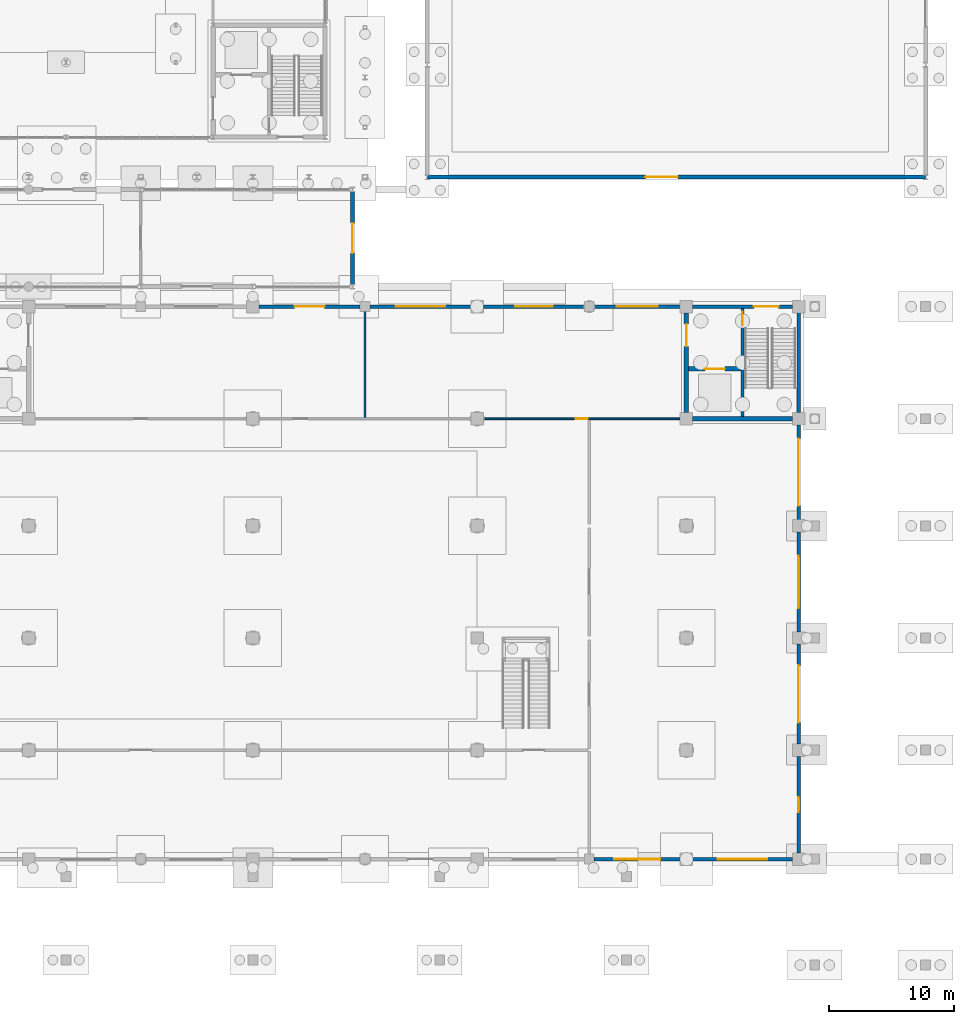
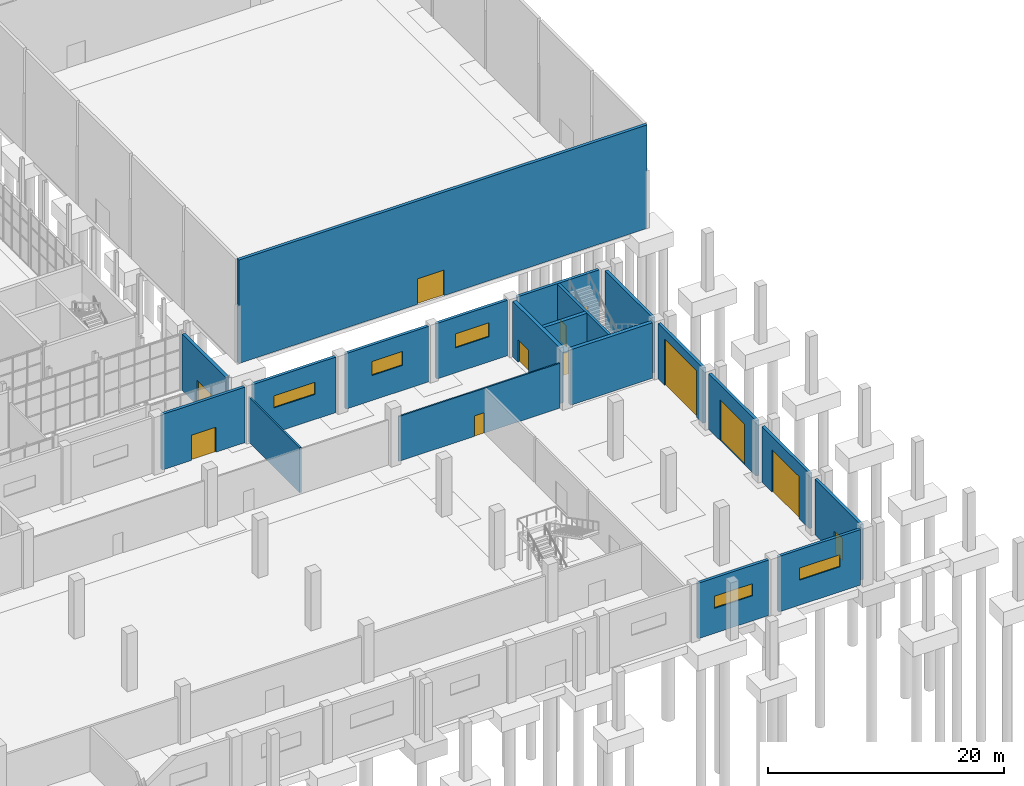
# One storey, part 105 of 131: 20 walls, 12 doors, 5 windows, 17 openings.
"""IFC4 building model written with IfcOpenShell, lengths in metres."""

import ifcopenshell
import ifcopenshell.guid

model = None  # the IFC model being written
_history = None  # IfcOwnerHistory: only IFC2X3 demands one
_inside = {}  # id of a spatial element -> (the spatial element, [elements in it])
_under = {}  # id of a project, library or spatial element -> (it, [spatial elements below it])
_declared = {}  # id of a project -> (the project, [libraries it declares])
_typed = {}  # id of a type object -> (the type object, [elements of that type])
_made_of = {}  # id of a material, layer set ... -> (it, [elements and type objects made of it])


def new_model(schema):
    """Start an empty IFC model of exactly this schema.

    Asked for "IFC4X3", IfcOpenShell would pick the latest addendum, in which some entities
    have other attributes; the version numbers below select the first issue.
    IFC2X3 requires an IfcOwnerHistory on every rooted entity: one is made here for all.
    """
    global model, _history
    if schema == "IFC4X3":
        model = ifcopenshell.file(schema_version=(4, 3, 0, 0))
    else:
        model = ifcopenshell.file(schema=schema)
    _inside.clear()
    _under.clear()
    _declared.clear()
    _typed.clear()
    _made_of.clear()
    _history = None
    if model.schema == "IFC2X3":
        org = make("IfcOrganization", Name="unknown")
        user = make(
            "IfcPersonAndOrganization",
            ThePerson=make("IfcPerson", FamilyName="unknown"),
            TheOrganization=org,
        )
        app = make(
            "IfcApplication",
            ApplicationDeveloper=org,
            Version="unknown",
            ApplicationFullName="unknown",
            ApplicationIdentifier="unknown",
        )
        _history = make(
            "IfcOwnerHistory",
            OwningUser=user,
            OwningApplication=app,
            ChangeAction="ADDED",
            CreationDate=0,
        )
    return model


def make(cls, **values):
    """One entity of the class cls with the attributes given. An attribute that is None is left unset."""
    return model.create_entity(
        cls, **{name: value for name, value in values.items() if value is not None}
    )


def rooted(cls, **values):
    """An entity with a GlobalId (a new one), such as an element, a storey or a relation."""
    return make(cls, GlobalId=ifcopenshell.guid.new(), OwnerHistory=_history, **values)


def si_unit(unit_type, name, prefix=None):
    """IfcSIUnit, for example si_unit("LENGTHUNIT", "METRE", prefix="MILLI")."""
    return make("IfcSIUnit", UnitType=unit_type, Prefix=prefix, Name=name)


def assignment(units):
    """IfcUnitAssignment: the units of a project."""
    return None if units is None else make("IfcUnitAssignment", Units=units)


def point(xyz):
    """IfcCartesianPoint."""
    return None if xyz is None else make("IfcCartesianPoint", Coordinates=xyz)


def direction(xyz):
    """IfcDirection."""
    return None if xyz is None else make("IfcDirection", DirectionRatios=xyz)


def frame(location, z_axis=None, x_axis=None):
    """IfcAxis2Placement3D, a coordinate frame: its origin and axes. An axis left out is left unset."""
    return make(
        "IfcAxis2Placement3D",
        Location=point(location),
        Axis=direction(z_axis),
        RefDirection=direction(x_axis),
    )


def frame_2d(location, x_axis=None):
    """IfcAxis2Placement2D, a coordinate frame in the plane: its origin and x axis."""
    return make(
        "IfcAxis2Placement2D", Location=point(location), RefDirection=direction(x_axis)
    )


def origin():
    """The frame at (0, 0, 0) with its axes left unset."""
    return frame((0.0, 0.0, 0.0))


def place(relative_to, where):
    """IfcLocalPlacement: puts the frame where relative to a parent placement (None: the world)."""
    return make(
        "IfcLocalPlacement", PlacementRelTo=relative_to, RelativePlacement=where
    )


def context(
    kind, dimensions, precision=None, world=None, true_north=None, identifier=None
):
    """IfcGeometricRepresentationContext, for example the 3D "Model" context."""
    return make(
        "IfcGeometricRepresentationContext",
        ContextIdentifier=identifier,
        ContextType=kind,
        CoordinateSpaceDimension=dimensions,
        Precision=precision,
        WorldCoordinateSystem=world,
        TrueNorth=true_north,
    )


def subcontext(parent, identifier, kind, view, scale=None):
    """IfcGeometricRepresentationSubContext, for example "Body" below "Model"."""
    return make(
        "IfcGeometricRepresentationSubContext",
        ContextIdentifier=identifier,
        ContextType=kind,
        ParentContext=parent,
        TargetScale=scale,
        TargetView=view,
    )


def project(units=None, contexts=None):
    """IfcProject with its units and contexts."""
    return rooted(
        "IfcProject",
        Name="project",
        RepresentationContexts=contexts,
        UnitsInContext=assignment(units),
    )


def spatial(cls, under=None, at=None, **own):
    """A site, building, storey or space (cls), placed at a placement, below another one or the project."""
    s = rooted(cls, ObjectPlacement=at, **own)
    if under is not None:
        _under.setdefault(under.id(), (under, []))[1].append(s)
    return s


def profile(cls, at=None, kind="AREA", **sizes):
    """A parametric profile (cls). Its sizes go by their IFC names, for example OverallWidth=200.0."""
    return make(cls, ProfileType=kind, Position=at, **sizes)


def rectangle(**sizes):
    """IfcRectangleProfileDef."""
    return profile("IfcRectangleProfileDef", **sizes)


def extrude(swept, where, along, depth):
    """IfcExtrudedAreaSolid: the profile swept, set in the frame where, extruded along a direction by depth."""
    return make(
        "IfcExtrudedAreaSolid",
        SweptArea=swept,
        Position=where,
        ExtrudedDirection=direction(along),
        Depth=depth,
    )


def shape(context_of_items, identifier, shape_type, items):
    """IfcShapeRepresentation: the items that make up one representation, for example the "Body"."""
    return make(
        "IfcShapeRepresentation",
        ContextOfItems=context_of_items,
        RepresentationIdentifier=identifier,
        RepresentationType=shape_type,
        Items=items,
    )


def material(Name=None, Category=None):
    """IfcMaterial."""
    return make("IfcMaterial", Name=Name, Category=Category)


def layer(
    of_material, thickness, ventilated=None, Name=None, Category=None, Priority=None
):
    """IfcMaterialLayer: one layer of a wall or slab, of a material (None: an air gap)."""
    return make(
        "IfcMaterialLayer",
        Material=of_material,
        LayerThickness=thickness,
        IsVentilated=ventilated,
        Name=Name,
        Category=Category,
        Priority=Priority,
    )


def layer_set(layers, Name=None):
    """IfcMaterialLayerSet."""
    return make("IfcMaterialLayerSet", MaterialLayers=layers, LayerSetName=Name)


def made_of(thing, what):
    """Note that an element or type object is made of a material, layer set ...; save() writes the relation."""
    if what is not None:
        _made_of.setdefault(what.id(), (what, []))[1].append(thing)
    return thing


def type_object(cls, material=None, **own):
    """A type object (cls), such as IfcWallType, which elements share."""
    return made_of(rooted(cls, **own), material)


def element(
    cls,
    number,
    at=None,
    inside=None,
    cuts=None,
    type_object=None,
    material=None,
    context=None,
    identifier="Body",
    shape_type=None,
    held_by="IfcProductDefinitionShape",
    body=None,
    shapes=None,
    **own,
):
    """One element of the class cls, such as IfcWall. Its Tag is "e" and its number.

    at: its placement. inside: the storey or other place that contains it. cuts: it is an
    opening in that element (IfcRelVoidsElement). A single representation is given by context,
    identifier, shape_type and body (its items); several are given by shapes. held_by: the class
    of the entity that holds the representations. save() writes the other relations.
    """
    e = rooted(cls, Tag="e%d" % number, ObjectPlacement=at, **own)
    if body is not None:
        shapes = [shape(context, identifier, shape_type, body)]
    if shapes is not None:
        e.Representation = make(held_by, Representations=shapes)
    if inside is not None:
        _inside.setdefault(inside.id(), (inside, []))[1].append(e)
    if cuts is not None:
        rooted(
            "IfcRelVoidsElement", RelatingBuildingElement=cuts, RelatedOpeningElement=e
        )
    if type_object is not None:
        _typed.setdefault(type_object.id(), (type_object, []))[1].append(e)
    return made_of(e, material)


def fill(opening, filler):
    """IfcRelFillsElement: the door or window that sits in an opening."""
    return rooted(
        "IfcRelFillsElement",
        RelatingOpeningElement=opening,
        RelatedBuildingElement=filler,
    )


def aggregate(whole, parts):
    """IfcRelAggregates: a whole, such as a stair, and the parts it consists of."""
    return rooted("IfcRelAggregates", RelatingObject=whole, RelatedObjects=parts)


def save(model, path):
    """Write the relations noted so far, then the file.

    IfcRelAggregates (storeys below a building ...), IfcRelContainedInSpatialStructure (elements
    in a storey), IfcRelDefinesByType, IfcRelAssociatesMaterial and IfcRelDeclares: one each for
    every whole, place, type object, material and project.
    """
    for whole, parts in _under.values():
        aggregate(whole, parts)
    for where, things in _inside.values():
        rooted(
            "IfcRelContainedInSpatialStructure",
            RelatedElements=things,
            RelatingStructure=where,
        )
    for kind, things in _typed.values():
        rooted("IfcRelDefinesByType", RelatedObjects=things, RelatingType=kind)
    for what, things in _made_of.values():
        rooted("IfcRelAssociatesMaterial", RelatedObjects=things, RelatingMaterial=what)
    for by, libraries in _declared.values():
        rooted("IfcRelDeclares", RelatingContext=by, RelatedDefinitions=libraries)
    model.write(path)


model = new_model("IFC4")

# Units and contexts
model_context = context("Model", 3, precision=1e-05, world=origin(), true_north=direction((0.0, 1.0)))
body_context = subcontext(model_context, "Body", "Model", "MODEL_VIEW")
ifc_project = project(units=[si_unit("LENGTHUNIT", "METRE"), si_unit("AREAUNIT", "SQUARE_METRE"), si_unit("VOLUMEUNIT", "CUBIC_METRE"), si_unit("PLANEANGLEUNIT", "RADIAN"), si_unit("MASSUNIT", "GRAM", prefix="KILO")], contexts=[model_context])

# Site, building, storey
site_placement = place(None, origin())
site = spatial("IfcSite", under=ifc_project, at=site_placement, CompositionType="ELEMENT")
building_placement = place(site_placement, origin())
building = spatial("IfcBuilding", under=site, at=building_placement, Name="Cazmaro Siding Exhibition Halls", CompositionType="ELEMENT")
storey_placement = place(building_placement, origin())
storey = spatial("IfcBuildingStorey", under=building, at=storey_placement, Name="L00", CompositionType="ELEMENT", Elevation=0.0)

# Wall, opening, door
ifc_material_1 = material(Name="Concrete f'c 45 MPa", Category="concrete")
ifc_layer_1 = layer(ifc_material_1, 0.320068359375)
ifc_layer_set_1 = layer_set([ifc_layer_1], Name="Concrete f'c 45 MPa")
wall_type_1 = type_object("IfcWallType", Name="EW-01", PredefinedType="STANDARD", material=ifc_layer_set_1)
wall_1_placement = place(storey_placement, frame((170.0, 62.823974609375, 0.0), z_axis=(0.0, 0.0, 1.0), x_axis=(0.0, -1.0, 0.0)))
wall_1 = element("IfcWall", 1, at=wall_1_placement, inside=storey, type_object=wall_type_1, Name="Concourse East Rail Arrival Portal EW-01 WL-E0184", PredefinedType="STANDARD", context=body_context, shape_type="SweptSolid", body=[
    extrude(rectangle(XDim=7.447998046875, YDim=0.320068359375, at=frame_2d((3.72412109375, 0.0))), origin(), (0.0, 0.0, 1.0), 5.840087890625),
])
opening_1_placement = place(wall_1_placement, frame((2.52392578125, 0.0, 0.0)))
opening_1 = element("IfcOpeningElement", 2, at=opening_1_placement, cuts=wall_1, Name="Opening D-E051", PredefinedType="OPENING", context=body_context, shape_type="SweptSolid", body=[
    extrude(rectangle(XDim=2.39990234375, YDim=2.60009765625, at=frame_2d((1.199951171875, 1.300048828125))), frame((0.0, 0.169921875, 0.0), z_axis=(0.0, -1.0, 0.0), x_axis=(1.0, 0.0, 0.0)), (0.0, 0.0, 1.0), 0.340087890625),
])
ifc_material_2 = material(Name="Anodized Bronze Glazed Entrance Door", Category="aluminium")
door_type_1 = type_object("IfcDoorType", Name="ED-02", OperationType="DOUBLE_DOOR_SINGLE_SWING", PredefinedType="DOOR", material=ifc_material_2)
door_1_placement = place(opening_1_placement, origin())
door_1 = element("IfcDoor", 3, at=door_1_placement, inside=storey, type_object=door_type_1, Name="Exterior door D-E051 (ED-02)", OperationType="DOUBLE_DOOR_SINGLE_SWING", OverallHeight=2.60009765625, OverallWidth=2.39990234375, PredefinedType="DOOR", context=body_context, shape_type="SweptSolid", body=[
    extrude(rectangle(XDim=2.39990234375, YDim=2.60009765625, at=frame_2d((1.199951171875, 1.300048828125))), frame((0.0, 0.02490234375, 0.0), z_axis=(0.0, -1.0, 0.0), x_axis=(1.0, 0.0, 0.0)), (0.0, 0.0, 1.0), 0.050048828125),
])
fill(opening_1, door_1)

ifc_material_3 = material(Name="Precast concrete f'c 40 MPa", Category="concrete")
ifc_layer_2 = layer(ifc_material_3, 0.280029296875)
ifc_layer_set_2 = layer_set([ifc_layer_2], Name="Precast concrete f'c 40 MPa")
wall_type_2 = type_object("IfcWallType", Name="EW-02", PredefinedType="STANDARD", material=ifc_layer_set_2)
wall_2_placement = place(storey_placement, frame((162.491943359375, 53.60009765625, 0.0), z_axis=(0.0, 0.0, 1.0), x_axis=(1.0, 0.0, 0.0)))
wall_2 = element("IfcWall", 4, at=wall_2_placement, inside=storey, type_object=wall_type_2, Name="Hall B1 North Wall EW-02 WL-E0099", PredefinedType="STANDARD", context=body_context, shape_type="SweptSolid", body=[
    extrude(rectangle(XDim=8.115966796875, YDim=0.280029296875, at=frame_2d((4.05810546875, 0.0))), origin(), (0.0, 0.0, 1.0), 5.75),
])
opening_2_placement = place(wall_2_placement, frame((2.85791015625, 0.0, 0.0)))
opening_2 = element("IfcOpeningElement", 5, at=opening_2_placement, cuts=wall_2, Name="Opening D-E020", PredefinedType="OPENING", context=body_context, shape_type="SweptSolid", body=[
    extrude(rectangle(XDim=2.39990234375, YDim=2.60009765625, at=frame_2d((1.199951171875, 1.300048828125))), frame((0.0, 0.14990234375, 0.0), z_axis=(0.0, -1.0, 0.0), x_axis=(1.0, 0.0, 0.0)), (0.0, 0.0, 1.0), 0.300048828125),
])
door_2_placement = place(opening_2_placement, origin())
door_2 = element("IfcDoor", 6, at=door_2_placement, inside=storey, type_object=door_type_1, Name="Exterior door D-E020 (ED-02)", OperationType="DOUBLE_DOOR_SINGLE_SWING", OverallHeight=2.60009765625, OverallWidth=2.39990234375, PredefinedType="DOOR", context=body_context, shape_type="SweptSolid", body=[
    extrude(rectangle(XDim=2.39990234375, YDim=2.60009765625, at=frame_2d((1.199951171875, 1.300048828125))), frame((0.0, 0.02490234375, 0.0), z_axis=(0.0, -1.0, 0.0), x_axis=(1.0, 0.0, 0.0)), (0.0, 0.0, 1.0), 0.050048828125),
])
fill(opening_2, door_2)

# Wall, opening, window
wall_3_placement = place(storey_placement, frame((171.39208984375, 53.60009765625, 0.0), z_axis=(0.0, 0.0, 1.0), x_axis=(1.0, 0.0, 0.0)))
wall_3 = element("IfcWall", 7, at=wall_3_placement, inside=storey, type_object=wall_type_2, Name="Hall B1 North Wall EW-02 WL-E0105", PredefinedType="STANDARD", context=body_context, shape_type="SweptSolid", body=[
    extrude(rectangle(XDim=8.115966796875, YDim=0.280029296875, at=frame_2d((4.05810546875, 0.0))), origin(), (0.0, 0.0, 1.0), 5.75),
])
opening_3_placement = place(wall_3_placement, frame((2.05810546875, 0.0, 2.60009765625)))
opening_3 = element("IfcOpeningElement", 8, at=opening_3_placement, cuts=wall_3, Name="Opening W-046", PredefinedType="OPENING", context=body_context, shape_type="SweptSolid", body=[
    extrude(rectangle(XDim=4.0, YDim=1.25, at=frame_2d((2.0, 0.625))), frame((0.0, 0.14990234375, 0.0), z_axis=(0.0, -1.0, 0.0), x_axis=(1.0, 0.0, 0.0)), (0.0, 0.0, 1.0), 0.300048828125),
])
ifc_material_4 = material(Name="Thermally Broken Aluminum Low-E Window Unit", Category="aluminium")
window_type_1 = type_object("IfcWindowType", Name="WT-23", PartitioningType="SINGLE_PANEL", PredefinedType="WINDOW", material=ifc_material_4)
window_1_placement = place(opening_3_placement, origin())
window_1 = element("IfcWindow", 9, at=window_1_placement, inside=storey, type_object=window_type_1, Name="Window W-046 (WT-23)", OverallHeight=1.25, OverallWidth=4.0, PartitioningType="SINGLE_PANEL", PredefinedType="WINDOW", context=body_context, shape_type="SweptSolid", body=[
    extrude(rectangle(XDim=4.0, YDim=1.25, at=frame_2d((2.0, 0.625))), frame((0.0, 0.030029296875, 0.0), z_axis=(0.0, -1.0, 0.0), x_axis=(1.0, 0.0, 0.0)), (0.0, 0.0, 1.0), 0.06005859375),
])
fill(opening_3, window_1)

wall_4_placement = place(storey_placement, frame((180.491943359375, 53.60009765625, 0.0), z_axis=(0.0, 0.0, 1.0), x_axis=(1.0, 0.0, 0.0)))
wall_4 = element("IfcWall", 10, at=wall_4_placement, inside=storey, type_object=wall_type_2, Name="Hall B1 North Wall EW-02 WL-E0111", PredefinedType="STANDARD", context=body_context, shape_type="SweptSolid", body=[
    extrude(rectangle(XDim=8.115966796875, YDim=0.280029296875, at=frame_2d((4.05810546875, 0.0))), origin(), (0.0, 0.0, 1.0), 5.75),
])
opening_4_placement = place(wall_4_placement, frame((2.55810546875, 0.0, 2.60009765625)))
opening_4 = element("IfcOpeningElement", 11, at=opening_4_placement, cuts=wall_4, Name="Opening W-049", PredefinedType="OPENING", context=body_context, shape_type="SweptSolid", body=[
    extrude(rectangle(XDim=3.0, YDim=1.449951171875, at=frame_2d((1.5, 0.72509765625))), frame((0.0, 0.14990234375, 0.0), z_axis=(0.0, -1.0, 0.0), x_axis=(1.0, 0.0, 0.0)), (0.0, 0.0, 1.0), 0.300048828125),
])
ifc_material_5 = material(Name="Thermally Broken Aluminum Low-E Window Unit", Category="aluminium")
window_type_2 = type_object("IfcWindowType", Name="WT-24", PartitioningType="SINGLE_PANEL", PredefinedType="WINDOW", material=ifc_material_5)
window_2_placement = place(opening_4_placement, origin())
window_2 = element("IfcWindow", 12, at=window_2_placement, inside=storey, type_object=window_type_2, Name="Window W-049 (WT-24)", OverallHeight=1.449951171875, OverallWidth=3.0, PartitioningType="SINGLE_PANEL", PredefinedType="WINDOW", context=body_context, shape_type="SweptSolid", body=[
    extrude(rectangle(XDim=3.0, YDim=1.449951171875, at=frame_2d((1.5, 0.72509765625))), frame((0.0, 0.030029296875, 0.0), z_axis=(0.0, -1.0, 0.0), x_axis=(1.0, 0.0, 0.0)), (0.0, 0.0, 1.0), 0.06005859375),
])
fill(opening_4, window_2)

wall_5_placement = place(storey_placement, frame((196.30810546875, 9.25, 0.0), z_axis=(0.0, 0.0, 1.0), x_axis=(-1.0, 0.0, 0.0)))
wall_5 = element("IfcWall", 13, at=wall_5_placement, inside=storey, type_object=wall_type_2, Name="Hall B1 South Precast Wall EW-02 WL-E0114", PredefinedType="STANDARD", context=body_context, shape_type="SweptSolid", body=[
    extrude(rectangle(XDim=6.916015625, YDim=0.280029296875, at=frame_2d((3.4580078125, 0.0))), origin(), (0.0, 0.0, 1.0), 5.75),
])
opening_5_placement = place(wall_5_placement, frame((1.60791015625, 0.0, 2.60009765625)))
opening_5 = element("IfcOpeningElement", 14, at=opening_5_placement, cuts=wall_5, Name="Opening W-050", PredefinedType="OPENING", context=body_context, shape_type="SweptSolid", body=[
    extrude(rectangle(XDim=3.699951171875, YDim=1.25, at=frame_2d((1.85009765625, 0.625))), frame((0.0, 0.14990234375, 0.0), z_axis=(0.0, -1.0, 0.0), x_axis=(1.0, 0.0, 0.0)), (0.0, 0.0, 1.0), 0.300048828125),
])
ifc_material_6 = material(Name="Thermally Broken Aluminum Low-E Window Unit", Category="aluminium")
window_type_3 = type_object("IfcWindowType", Name="WT-22", PartitioningType="SINGLE_PANEL", PredefinedType="WINDOW", material=ifc_material_6)
window_3_placement = place(opening_5_placement, origin())
window_3 = element("IfcWindow", 15, at=window_3_placement, inside=storey, type_object=window_type_3, Name="Window W-050 (WT-22)", OverallHeight=1.25, OverallWidth=3.699951171875, PartitioningType="SINGLE_PANEL", PredefinedType="WINDOW", context=body_context, shape_type="SweptSolid", body=[
    extrude(rectangle(XDim=3.699951171875, YDim=1.25, at=frame_2d((1.85009765625, 0.625))), frame((0.0, 0.030029296875, 0.0), z_axis=(0.0, -1.0, 0.0), x_axis=(1.0, 0.0, 0.0)), (0.0, 0.0, 1.0), 0.06005859375),
])
fill(opening_5, window_3)

wall_6_placement = place(storey_placement, frame((189.39208984375, 53.60009765625, 0.0), z_axis=(0.0, 0.0, 1.0), x_axis=(1.0, 0.0, 0.0)))
wall_6 = element("IfcWall", 16, at=wall_6_placement, inside=storey, type_object=wall_type_2, Name="Hall B1 North Wall EW-02 WL-E0117", PredefinedType="STANDARD", context=body_context, shape_type="SweptSolid", body=[
    extrude(rectangle(XDim=6.916015625, YDim=0.280029296875, at=frame_2d((3.4580078125, 0.0))), origin(), (0.0, 0.0, 1.0), 5.75),
])
opening_6_placement = place(wall_6_placement, frame((1.80810546875, 0.0, 2.60009765625)))
opening_6 = element("IfcOpeningElement", 17, at=opening_6_placement, cuts=wall_6, Name="Opening W-052", PredefinedType="OPENING", context=body_context, shape_type="SweptSolid", body=[
    extrude(rectangle(XDim=3.300048828125, YDim=1.449951171875, at=frame_2d((1.64990234375, 0.72509765625))), frame((0.0, 0.14990234375, 0.0), z_axis=(0.0, -1.0, 0.0), x_axis=(1.0, 0.0, 0.0)), (0.0, 0.0, 1.0), 0.300048828125),
])
ifc_material_7 = material(Name="Thermally Broken Aluminum Low-E Window Unit", Category="aluminium")
window_type_4 = type_object("IfcWindowType", Name="WT-25", PartitioningType="SINGLE_PANEL", PredefinedType="WINDOW", material=ifc_material_7)
window_4_placement = place(opening_6_placement, origin())
window_4 = element("IfcWindow", 18, at=window_4_placement, inside=storey, type_object=window_type_4, Name="Window W-052 (WT-25)", OverallHeight=1.449951171875, OverallWidth=3.300048828125, PartitioningType="SINGLE_PANEL", PredefinedType="WINDOW", context=body_context, shape_type="SweptSolid", body=[
    extrude(rectangle(XDim=3.300048828125, YDim=1.449951171875, at=frame_2d((1.64990234375, 0.72509765625))), frame((0.0, 0.030029296875, 0.0), z_axis=(0.0, -1.0, 0.0), x_axis=(1.0, 0.0, 0.0)), (0.0, 0.0, 1.0), 0.06005859375),
])
fill(opening_6, window_4)

wall_7_placement = place(storey_placement, frame((205.30810546875, 9.25, 0.0), z_axis=(0.0, 0.0, 1.0), x_axis=(-1.0, 0.0, 0.0)))
wall_7 = element("IfcWall", 19, at=wall_7_placement, inside=storey, type_object=wall_type_2, Name="Hall B1 South Precast Wall EW-02 WL-E0120", PredefinedType="STANDARD", context=body_context, shape_type="SweptSolid", body=[
    extrude(rectangle(XDim=8.01611328125, YDim=0.280029296875, at=frame_2d((4.008056640625, 0.0))), origin(), (0.0, 0.0, 1.0), 5.75),
])
opening_7_placement = place(wall_7_placement, frame((2.008056640625, 0.0, 2.60009765625)))
opening_7 = element("IfcOpeningElement", 20, at=opening_7_placement, cuts=wall_7, Name="Opening W-053", PredefinedType="OPENING", context=body_context, shape_type="SweptSolid", body=[
    extrude(rectangle(XDim=4.0, YDim=1.25, at=frame_2d((2.0, 0.625))), frame((0.0, 0.14990234375, 0.0), z_axis=(0.0, -1.0, 0.0), x_axis=(1.0, 0.0, 0.0)), (0.0, 0.0, 1.0), 0.300048828125),
])
window_5_placement = place(opening_7_placement, origin())
window_5 = element("IfcWindow", 21, at=window_5_placement, inside=storey, type_object=window_type_1, Name="Window W-053 (WT-23)", OverallHeight=1.25, OverallWidth=4.0, PartitioningType="SINGLE_PANEL", PredefinedType="WINDOW", context=body_context, shape_type="SweptSolid", body=[
    extrude(rectangle(XDim=4.0, YDim=1.25, at=frame_2d((2.0, 0.625))), frame((0.0, 0.030029296875, 0.0), z_axis=(0.0, -1.0, 0.0), x_axis=(1.0, 0.0, 0.0)), (0.0, 0.0, 1.0), 0.06005859375),
])
fill(opening_7, window_5)

# Wall, opening, door
wall_8_placement = place(storey_placement, frame((197.2919921875, 53.60009765625, 0.0), z_axis=(0.0, 0.0, 1.0), x_axis=(1.0, 0.0, 0.0)))
wall_8 = element("IfcWall", 22, at=wall_8_placement, inside=storey, type_object=wall_type_2, Name="Hall B1 North Wall EW-02 WL-E0123", PredefinedType="STANDARD", context=body_context, shape_type="SweptSolid", body=[
    extrude(rectangle(XDim=8.01611328125, YDim=0.280029296875, at=frame_2d((4.008056640625, 0.0))), origin(), (0.0, 0.0, 1.0), 5.75),
])
opening_8_placement = place(wall_8_placement, frame((4.916015625, 0.0, 0.0)))
opening_8 = element("IfcOpeningElement", 23, at=opening_8_placement, cuts=wall_8, Name="Opening D-E022", PredefinedType="OPENING", context=body_context, shape_type="SweptSolid", body=[
    extrude(rectangle(XDim=2.0, YDim=2.39990234375, at=frame_2d((1.0, 1.199951171875))), frame((0.0, 0.14990234375, 0.0), z_axis=(0.0, -1.0, 0.0), x_axis=(1.0, 0.0, 0.0)), (0.0, 0.0, 1.0), 0.300048828125),
])
ifc_material_8 = material(Name="Anodized Bronze Glazed Entrance Door", Category="aluminium")
door_type_2 = type_object("IfcDoorType", Name="ED-01", OperationType="DOUBLE_DOOR_SINGLE_SWING", PredefinedType="DOOR", material=ifc_material_8)
door_3_placement = place(opening_8_placement, origin())
door_3 = element("IfcDoor", 24, at=door_3_placement, inside=storey, type_object=door_type_2, Name="Exterior door D-E022 (ED-01)", OperationType="DOUBLE_DOOR_SINGLE_SWING", OverallHeight=2.39990234375, OverallWidth=2.0, PredefinedType="DOOR", context=body_context, shape_type="SweptSolid", body=[
    extrude(rectangle(XDim=2.0, YDim=2.39990234375, at=frame_2d((1.0, 1.199951171875))), frame((0.0, 0.02490234375, 0.0), z_axis=(0.0, -1.0, 0.0), x_axis=(1.0, 0.0, 0.0)), (0.0, 0.0, 1.0), 0.050048828125),
])
fill(opening_8, door_3)

wall_9_placement = place(storey_placement, frame((205.800048828125, 17.508056640625, 0.0), z_axis=(0.0, 0.0, 1.0), x_axis=(0.0, -1.0, 0.0)))
wall_9 = element("IfcWall", 25, at=wall_9_placement, inside=storey, type_object=wall_type_2, Name="Lower Freight Dock Wall EW-02 WL-E0129", PredefinedType="STANDARD", context=body_context, shape_type="SweptSolid", body=[
    extrude(rectangle(XDim=7.76611328125, YDim=0.280029296875, at=frame_2d((3.883056640625, 0.0))), origin(), (0.0, 0.0, 1.0), 5.75),
])
opening_9_placement = place(wall_9_placement, frame((3.27294921875, 0.0, 0.0)))
opening_9 = element("IfcOpeningElement", 26, at=opening_9_placement, cuts=wall_9, Name="Opening D-E023", PredefinedType="OPENING", context=body_context, shape_type="SweptSolid", body=[
    extrude(rectangle(XDim=1.219970703125, YDim=2.320068359375, at=frame_2d((0.60986328125, 1.16015625))), frame((0.0, 0.14990234375, 0.0), z_axis=(0.0, -1.0, 0.0), x_axis=(1.0, 0.0, 0.0)), (0.0, 0.0, 1.0), 0.300048828125),
])
ifc_material_9 = material(Name="Anodized Bronze Glazed Entrance Door", Category="aluminium")
door_type_3 = type_object("IfcDoorType", Name="ED-05", OperationType="NOTDEFINED", PredefinedType="DOOR", material=ifc_material_9)
door_4_placement = place(opening_9_placement, origin())
door_4 = element("IfcDoor", 27, at=door_4_placement, inside=storey, type_object=door_type_3, Name="Exterior door D-E023 (ED-05)", OperationType="SINGLE_SWING_RIGHT", OverallHeight=2.320068359375, OverallWidth=1.219970703125, PredefinedType="DOOR", context=body_context, shape_type="SweptSolid", body=[
    extrude(rectangle(XDim=1.219970703125, YDim=2.320068359375, at=frame_2d((0.60986328125, 1.16015625))), frame((0.0, 0.02490234375, 0.0), z_axis=(0.0, -1.0, 0.0), x_axis=(1.0, 0.0, 0.0)), (0.0, 0.0, 1.0), 0.050048828125),
])
fill(opening_9, door_4)

wall_10_placement = place(storey_placement, frame((205.800048828125, 26.508056640625, 0.0), z_axis=(0.0, 0.0, 1.0), x_axis=(0.0, -1.0, 0.0)))
wall_10 = element("IfcWall", 28, at=wall_10_placement, inside=storey, type_object=wall_type_2, Name="Lower Freight Dock Wall EW-02 WL-E0135", PredefinedType="STANDARD", context=body_context, shape_type="SweptSolid", body=[
    extrude(rectangle(XDim=8.01611328125, YDim=0.280029296875, at=frame_2d((4.008056640625, 0.0))), origin(), (0.0, 0.0, 1.0), 5.75),
])
opening_10_placement = place(wall_10_placement, frame((1.7080078125, 0.0, 0.0)))
opening_10 = element("IfcOpeningElement", 29, at=opening_10_placement, cuts=wall_10, Name="Opening D-E025", PredefinedType="OPENING", context=body_context, shape_type="SweptSolid", body=[
    extrude(rectangle(XDim=4.60009765625, YDim=4.39990234375, at=frame_2d((2.300048828125, 2.199951171875))), frame((0.0, 0.14990234375, 0.0), z_axis=(0.0, -1.0, 0.0), x_axis=(1.0, 0.0, 0.0)), (0.0, 0.0, 1.0), 0.300048828125),
])
ifc_material_10 = material(Name="Insulated Galvanized Steel Roller Shutter", Category="steel")
door_type_4 = type_object("IfcDoorType", Name="SH-02", OperationType="ROLLINGUP", PredefinedType="GATE", material=ifc_material_10)
door_5_placement = place(opening_10_placement, origin())
door_5 = element("IfcDoor", 30, at=door_5_placement, inside=storey, type_object=door_type_4, Name="Exterior door D-E025 (SH-02)", OperationType="ROLLINGUP", OverallHeight=4.39990234375, OverallWidth=4.60009765625, PredefinedType="GATE", context=body_context, shape_type="SweptSolid", body=[
    extrude(rectangle(XDim=4.60009765625, YDim=4.39990234375, at=frame_2d((2.300048828125, 2.199951171875))), frame((0.0, 0.02490234375, 0.0), z_axis=(0.0, -1.0, 0.0), x_axis=(1.0, 0.0, 0.0)), (0.0, 0.0, 1.0), 0.050048828125),
])
fill(opening_10, door_5)

wall_11_placement = place(storey_placement, frame((205.800048828125, 35.508056640625, 0.0), z_axis=(0.0, 0.0, 1.0), x_axis=(0.0, -1.0, 0.0)))
wall_11 = element("IfcWall", 31, at=wall_11_placement, inside=storey, type_object=wall_type_2, Name="Lower Freight Dock Wall EW-02 WL-E0141", PredefinedType="STANDARD", context=body_context, shape_type="SweptSolid", body=[
    extrude(rectangle(XDim=8.01611328125, YDim=0.280029296875, at=frame_2d((4.008056640625, 0.0))), origin(), (0.0, 0.0, 1.0), 5.75),
])
opening_11_placement = place(wall_11_placement, frame((1.907958984375, 0.0, 0.0)))
opening_11 = element("IfcOpeningElement", 32, at=opening_11_placement, cuts=wall_11, Name="Opening D-E027", PredefinedType="OPENING", context=body_context, shape_type="SweptSolid", body=[
    extrude(rectangle(XDim=4.199951171875, YDim=4.199951171875, at=frame_2d((2.10009765625, 2.10009765625))), frame((0.0, 0.14990234375, 0.0), z_axis=(0.0, -1.0, 0.0), x_axis=(1.0, 0.0, 0.0)), (0.0, 0.0, 1.0), 0.300048828125),
])
ifc_material_11 = material(Name="Insulated Galvanized Steel Roller Shutter", Category="steel")
door_type_5 = type_object("IfcDoorType", Name="SH-03", OperationType="ROLLINGUP", PredefinedType="GATE", material=ifc_material_11)
door_6_placement = place(opening_11_placement, origin())
door_6 = element("IfcDoor", 33, at=door_6_placement, inside=storey, type_object=door_type_5, Name="Exterior door D-E027 (SH-03)", OperationType="ROLLINGUP", OverallHeight=4.199951171875, OverallWidth=4.199951171875, PredefinedType="GATE", context=body_context, shape_type="SweptSolid", body=[
    extrude(rectangle(XDim=4.199951171875, YDim=4.199951171875, at=frame_2d((2.10009765625, 2.10009765625))), frame((0.0, 0.02490234375, 0.0), z_axis=(0.0, -1.0, 0.0), x_axis=(1.0, 0.0, 0.0)), (0.0, 0.0, 1.0), 0.050048828125),
])
fill(opening_11, door_6)

wall_12_placement = place(storey_placement, frame((205.800048828125, 44.10791015625, 0.0), z_axis=(0.0, 0.0, 1.0), x_axis=(0.0, -1.0, 0.0)))
wall_12 = element("IfcWall", 34, at=wall_12_placement, inside=storey, type_object=wall_type_2, Name="Lower Freight Dock Wall EW-02 WL-E0147", PredefinedType="STANDARD", context=body_context, shape_type="SweptSolid", body=[
    extrude(rectangle(XDim=7.615966796875, YDim=0.280029296875, at=frame_2d((3.80810546875, 0.0))), origin(), (0.0, 0.0, 1.0), 5.75),
])
opening_12_placement = place(wall_12_placement, frame((1.10791015625, 0.0, 0.0)))
opening_12 = element("IfcOpeningElement", 35, at=opening_12_placement, cuts=wall_12, Name="Opening VS-01", PredefinedType="OPENING", context=body_context, shape_type="SweptSolid", body=[
    extrude(rectangle(XDim=5.39990234375, YDim=4.800048828125, at=frame_2d((2.699951171875, 2.39990234375))), frame((0.0, 0.14990234375, 0.0), z_axis=(0.0, -1.0, 0.0), x_axis=(1.0, 0.0, 0.0)), (0.0, 0.0, 1.0), 0.300048828125),
])
ifc_material_12 = material(Name="Insulated Galvanized Steel Roller Shutter", Category="steel")
door_type_6 = type_object("IfcDoorType", Name="SH-01", OperationType="ROLLINGUP", PredefinedType="GATE", material=ifc_material_12)
door_7_placement = place(opening_12_placement, origin())
door_7 = element("IfcDoor", 36, at=door_7_placement, inside=storey, type_object=door_type_6, Name="Exterior door VS-01 (SH-01)", OperationType="ROLLINGUP", OverallHeight=4.800048828125, OverallWidth=5.39990234375, PredefinedType="GATE", context=body_context, shape_type="SweptSolid", body=[
    extrude(rectangle(XDim=5.39990234375, YDim=4.800048828125, at=frame_2d((2.699951171875, 2.39990234375))), frame((0.0, 0.02490234375, 0.0), z_axis=(0.0, -1.0, 0.0), x_axis=(1.0, 0.0, 0.0)), (0.0, 0.0, 1.0), 0.050048828125),
])
fill(opening_12, door_7)

# Wall
wall_13_placement = place(storey_placement, frame((205.800048828125, 53.10791015625, 0.0), z_axis=(0.0, 0.0, 1.0), x_axis=(0.0, -1.0, 0.0)))
element("IfcWall", 37, at=wall_13_placement, inside=storey, type_object=wall_type_2, Name="Lower Freight Dock Wall EW-02 WL-E0153", PredefinedType="STANDARD", context=body_context, shape_type="SweptSolid", body=[
    extrude(rectangle(XDim=8.015869140625, YDim=0.280029296875, at=frame_2d((4.0078125, 0.0))), origin(), (0.0, 0.0, 1.0), 5.75),
])

# Wall, opening, door
ifc_material_13 = material(Name="Concrete f'c 45 MPa", Category="concrete")
ifc_layer_3 = layer(ifc_material_13, 0.300048828125)
ifc_layer_set_3 = layer_set([ifc_layer_3], Name="Concrete f'c 45 MPa")
wall_type_3 = type_object("IfcWallType", Name="EW-03", PredefinedType="STANDARD", material=ifc_layer_set_3)
wall_14_placement = place(storey_placement, frame((215.987060546875, 64.0, 0.0), z_axis=(0.0, 0.0, 1.0), x_axis=(-1.0, 0.0, 0.0)))
wall_14 = element("IfcWall", 38, at=wall_14_placement, inside=storey, type_object=wall_type_3, Name="Sawtooth Pavilion South Wall EW-03 WL-E0168", PredefinedType="STANDARD", context=body_context, shape_type="SweptSolid", body=[
    extrude(rectangle(XDim=39.97412109375, YDim=0.300048828125, at=frame_2d((19.987060546875, 0.0))), origin(), (0.0, 0.0, 1.0), 10.719970703125),
])
opening_13_placement = place(wall_14_placement, frame((19.8740234375, 0.0, 0.0)))
opening_13 = element("IfcOpeningElement", 39, at=opening_13_placement, cuts=wall_14, Name="Opening D-E035", PredefinedType="OPENING", context=body_context, shape_type="SweptSolid", body=[
    extrude(rectangle(XDim=2.60009765625, YDim=2.64990234375, at=frame_2d((1.300048828125, 1.324951171875))), frame((0.0, 0.159912109375, 0.0), z_axis=(0.0, -1.0, 0.0), x_axis=(1.0, 0.0, 0.0)), (0.0, 0.0, 1.0), 0.320068359375),
])
ifc_material_14 = material(Name="Anodized Bronze Glazed Entrance Door", Category="aluminium")
door_type_7 = type_object("IfcDoorType", Name="ED-07", OperationType="DOUBLE_DOOR_SINGLE_SWING", PredefinedType="DOOR", material=ifc_material_14)
door_8_placement = place(opening_13_placement, origin())
door_8 = element("IfcDoor", 40, at=door_8_placement, inside=storey, type_object=door_type_7, Name="Exterior door D-E035 (ED-07)", OperationType="DOUBLE_DOOR_SINGLE_SWING", OverallHeight=2.64990234375, OverallWidth=2.60009765625, PredefinedType="DOOR", context=body_context, shape_type="SweptSolid", body=[
    extrude(rectangle(XDim=2.60009765625, YDim=2.64990234375, at=frame_2d((1.300048828125, 1.324951171875))), frame((0.0, 0.02490234375, 0.0), z_axis=(0.0, -1.0, 0.0), x_axis=(1.0, 0.0, 0.0)), (0.0, 0.0, 1.0), 0.050048828125),
])
fill(opening_13, door_8)

ifc_material_15 = material(Name="Fire-Rated Gypsum Board on Cold-Formed Steel Studs", Category="steel")
ifc_layer_4 = layer(ifc_material_15, 0.14501953125)
ifc_layer_set_4 = layer_set([ifc_layer_4], Name="Fire-Rated Gypsum Board on Cold-Formed Steel Studs")
wall_type_4 = type_object("IfcWallType", Name="PW-01", PredefinedType="PARTITIONING", material=ifc_layer_set_4)
wall_15_placement = place(storey_placement, frame((180.4951171875, 44.60009765625, 0.0), z_axis=(0.0, 0.0, 1.0), x_axis=(1.0, 0.0, 0.0)))
wall_15 = element("IfcWall", 41, at=wall_15_placement, inside=storey, type_object=wall_type_4, Name="Hall B1 North Service Partition PW-01 WL-I0165", PredefinedType="PARTITIONING", context=body_context, shape_type="SweptSolid", body=[
    extrude(rectangle(XDim=15.809814453125, YDim=0.14501953125, at=frame_2d((7.90478515625, 0.0))), origin(), (0.0, 0.0, 1.0), 4.64990234375),
])
opening_14_placement = place(wall_15_placement, frame((7.429931640625, 0.0, 0.0)))
opening_14 = element("IfcOpeningElement", 42, at=opening_14_placement, cuts=wall_15, Name="Opening D-I078", PredefinedType="OPENING", context=body_context, shape_type="SweptSolid", body=[
    extrude(rectangle(XDim=0.949951171875, YDim=2.1201171875, at=frame_2d((0.47509765625, 1.06005859375))), frame((0.0, 0.08251953125, 0.0), z_axis=(0.0, -1.0, 0.0), x_axis=(1.0, 0.0, 0.0)), (0.0, 0.0, 1.0), 0.1650390625),
])
ifc_material_16 = material(Name="Fire-Rated Painted Hollow Metal Door", Category="steel")
door_type_8 = type_object("IfcDoorType", Name="ID-04", OperationType="NOTDEFINED", PredefinedType="DOOR", material=ifc_material_16)
door_9_placement = place(opening_14_placement, origin())
door_9 = element("IfcDoor", 43, at=door_9_placement, inside=storey, type_object=door_type_8, Name="Interior door D-I078 (ID-04)", OperationType="SINGLE_SWING_RIGHT", OverallHeight=2.1201171875, OverallWidth=0.949951171875, PredefinedType="DOOR", context=body_context, shape_type="SweptSolid", body=[
    extrude(rectangle(XDim=0.949951171875, YDim=2.1201171875, at=frame_2d((0.47509765625, 1.06005859375))), frame((0.0, 0.02490234375, 0.0), z_axis=(0.0, -1.0, 0.0), x_axis=(1.0, 0.0, 0.0)), (0.0, 0.0, 1.0), 0.050048828125),
])
fill(opening_14, door_9)

# Wall
ifc_material_17 = material(Name="Moisture-Resistant Gypsum Board on Acoustic Steel Studs", Category="steel")
ifc_layer_5 = layer(ifc_material_17, 0.1650390625)
ifc_layer_set_5 = layer_set([ifc_layer_5], Name="Moisture-Resistant Gypsum Board on Acoustic Steel Studs")
wall_type_5 = type_object("IfcWallType", Name="PW-02", PredefinedType="PARTITIONING", material=ifc_layer_set_5)
wall_16_placement = place(storey_placement, frame((171.0, 44.719970703125, 0.0), z_axis=(0.0, 0.0, 1.0), x_axis=(0.0, 1.0, 0.0)))
element("IfcWall", 44, at=wall_16_placement, inside=storey, type_object=wall_type_5, Name="Hall B1 Restroom-Customs Divider PW-02 WL-I0166", PredefinedType="PARTITIONING", context=body_context, shape_type="SweptSolid", body=[
    extrude(rectangle(XDim=8.72998046875, YDim=0.1650390625, at=frame_2d((4.364990234375, 0.0))), origin(), (0.0, 0.0, 1.0), 4.64990234375),
])

# Wall, opening, door
ifc_material_18 = material(Name="Concrete f'c 50 MPa", Category="concrete")
ifc_layer_6 = layer(ifc_material_18, 0.360107421875)
ifc_layer_set_6 = layer_set([ifc_layer_6], Name="Concrete f'c 50 MPa")
wall_type_6 = type_object("IfcWallType", Name="SW-01", PredefinedType="SHEAR", material=ifc_layer_set_6)
wall_17_placement = place(storey_placement, frame((196.800048828125, 45.094970703125, 0.0), z_axis=(0.0, 0.0, 1.0), x_axis=(0.0, 1.0, 0.0)))
wall_17 = element("IfcWall", 45, at=wall_17_placement, inside=storey, type_object=wall_type_6, Name="Core C5 West Shear Wall SW-01 WL-I0052", PredefinedType="SHEAR", context=body_context, shape_type="SweptSolid", body=[
    extrude(rectangle(XDim=8.010009765625, YDim=0.360107421875, at=frame_2d((4.0048828125, 0.0))), origin(), (0.0, 0.0, 1.0), 5.75),
])
opening_15_placement = place(wall_17_placement, frame((5.304931640625, 0.0, 0.0)))
opening_15 = element("IfcOpeningElement", 46, at=opening_15_placement, cuts=wall_17, Name="Opening D-I026", PredefinedType="OPENING", context=body_context, shape_type="SweptSolid", body=[
    extrude(rectangle(XDim=1.800048828125, YDim=2.300048828125, at=frame_2d((0.89990234375, 1.14990234375))), frame((0.0, 0.18994140625, 0.0), z_axis=(0.0, -1.0, 0.0), x_axis=(1.0, 0.0, 0.0)), (0.0, 0.0, 1.0), 0.380126953125),
])
ifc_material_19 = material(Name="Fire-Rated Painted Hollow Metal Door", Category="steel")
door_type_9 = type_object("IfcDoorType", Name="ID-02", OperationType="DOUBLE_DOOR_SINGLE_SWING", PredefinedType="DOOR", material=ifc_material_19)
door_10_placement = place(opening_15_placement, origin())
door_10 = element("IfcDoor", 47, at=door_10_placement, inside=storey, type_object=door_type_9, Name="Interior door D-I026 (ID-02)", OperationType="DOUBLE_DOOR_SINGLE_SWING", OverallHeight=2.300048828125, OverallWidth=1.800048828125, PredefinedType="DOOR", context=body_context, shape_type="SweptSolid", body=[
    extrude(rectangle(XDim=1.800048828125, YDim=2.300048828125, at=frame_2d((0.89990234375, 1.14990234375))), frame((0.0, 0.02490234375, 0.0), z_axis=(0.0, -1.0, 0.0), x_axis=(1.0, 0.0, 0.0)), (0.0, 0.0, 1.0), 0.050048828125),
])
fill(opening_15, door_10)

# Wall
wall_18_placement = place(storey_placement, frame((197.294921875, 44.60009765625, 0.0), z_axis=(0.0, 0.0, 1.0), x_axis=(1.0, 0.0, 0.0)))
element("IfcWall", 48, at=wall_18_placement, inside=storey, type_object=wall_type_6, Name="Core C5 South Shear Wall SW-01 WL-I0053", PredefinedType="SHEAR", context=body_context, shape_type="SweptSolid", body=[
    extrude(rectangle(XDim=8.010009765625, YDim=0.360107421875, at=frame_2d((4.0048828125, 0.0))), origin(), (0.0, 0.0, 1.0), 5.75),
])

# Wall, opening, door
wall_19_placement = place(storey_placement, frame((196.965087890625, 48.60009765625, 0.0), z_axis=(0.0, 0.0, 1.0), x_axis=(1.0, 0.0, 0.0)))
wall_19 = element("IfcWall", 49, at=wall_19_placement, inside=storey, type_object=wall_type_6, Name="Core C5 Lift Shaft Wall SW-01 WL-I0055", PredefinedType="SHEAR", context=body_context, shape_type="SweptSolid", body=[
    extrude(rectangle(XDim=4.219970703125, YDim=0.360107421875, at=frame_2d((2.10986328125, 0.0))), origin(), (0.0, 0.0, 1.0), 5.75),
])
opening_16_placement = place(wall_19_placement, frame((1.31005859375, 0.0, 0.0)))
opening_16 = element("IfcOpeningElement", 50, at=opening_16_placement, cuts=wall_19, Name="Opening LD-013", PredefinedType="OPENING", context=body_context, shape_type="SweptSolid", body=[
    extrude(rectangle(XDim=1.60009765625, YDim=2.39990234375, at=frame_2d((0.800048828125, 1.199951171875))), frame((0.0, 0.18994140625, 0.0), z_axis=(0.0, -1.0, 0.0), x_axis=(1.0, 0.0, 0.0)), (0.0, 0.0, 1.0), 0.380126953125),
])
ifc_material_20 = material(Name="Stainless Steel Elevator Landing Door", Category="steel")
door_type_10 = type_object("IfcDoorType", Name="LD-02", OperationType="DOUBLE_DOOR_SLIDING", PredefinedType="DOOR", material=ifc_material_20)
door_11_placement = place(opening_16_placement, origin())
door_11 = element("IfcDoor", 51, at=door_11_placement, inside=storey, type_object=door_type_10, Name="Interior door LD-013 (LD-02)", OperationType="DOUBLE_DOOR_SLIDING", OverallHeight=2.39990234375, OverallWidth=1.60009765625, PredefinedType="DOOR", context=body_context, shape_type="SweptSolid", body=[
    extrude(rectangle(XDim=1.60009765625, YDim=2.39990234375, at=frame_2d((0.800048828125, 1.199951171875))), frame((0.0, 0.02490234375, 0.0), z_axis=(0.0, -1.0, 0.0), x_axis=(1.0, 0.0, 0.0)), (0.0, 0.0, 1.0), 0.050048828125),
])
fill(opening_16, door_11)

ifc_material_21 = material(Name="Concrete f'c 50 MPa", Category="concrete")
ifc_layer_7 = layer(ifc_material_21, 0.25)
ifc_layer_set_7 = layer_set([ifc_layer_7], Name="Concrete f'c 50 MPa")
wall_type_7 = type_object("IfcWallType", Name="SW-02", PredefinedType="SHEAR", material=ifc_layer_set_7)
wall_20_placement = place(storey_placement, frame((201.300048828125, 53.43505859375, 0.0), z_axis=(0.0, 0.0, 1.0), x_axis=(0.0, -1.0, 0.0)))
wall_20 = element("IfcWall", 52, at=wall_20_placement, inside=storey, type_object=wall_type_7, Name="Core C5 Stair-Lobby Divider SW-02 WL-I0054", PredefinedType="SHEAR", context=body_context, shape_type="SweptSolid", body=[
    extrude(rectangle(XDim=8.670166015625, YDim=0.25, at=frame_2d((4.3349609375, 0.0))), origin(), (0.0, 0.0, 1.0), 5.75),
])
opening_17_placement = place(wall_20_placement, frame((0.25, 0.0, 0.0)))
opening_17 = element("IfcOpeningElement", 53, at=opening_17_placement, cuts=wall_20, Name="Opening D-I025", PredefinedType="OPENING", context=body_context, shape_type="SweptSolid", body=[
    extrude(rectangle(XDim=1.10009765625, YDim=2.199951171875, at=frame_2d((0.550048828125, 1.10009765625))), frame((0.0, 0.135009765625, 0.0), z_axis=(0.0, -1.0, 0.0), x_axis=(1.0, 0.0, 0.0)), (0.0, 0.0, 1.0), 0.27001953125),
])
ifc_material_22 = material(Name="Fire-Rated Painted Hollow Metal Door", Category="steel")
door_type_11 = type_object("IfcDoorType", Name="ID-01", OperationType="NOTDEFINED", PredefinedType="DOOR", material=ifc_material_22)
door_12_placement = place(opening_17_placement, origin())
door_12 = element("IfcDoor", 54, at=door_12_placement, inside=storey, type_object=door_type_11, Name="Interior door D-I025 (ID-01)", OperationType="SINGLE_SWING_LEFT", OverallHeight=2.199951171875, OverallWidth=1.10009765625, PredefinedType="DOOR", context=body_context, shape_type="SweptSolid", body=[
    extrude(rectangle(XDim=1.10009765625, YDim=2.199951171875, at=frame_2d((0.550048828125, 1.10009765625))), frame((0.0, 0.02490234375, 0.0), z_axis=(0.0, -1.0, 0.0), x_axis=(1.0, 0.0, 0.0)), (0.0, 0.0, 1.0), 0.050048828125),
])
fill(opening_17, door_12)

save(model, "model.ifc")
